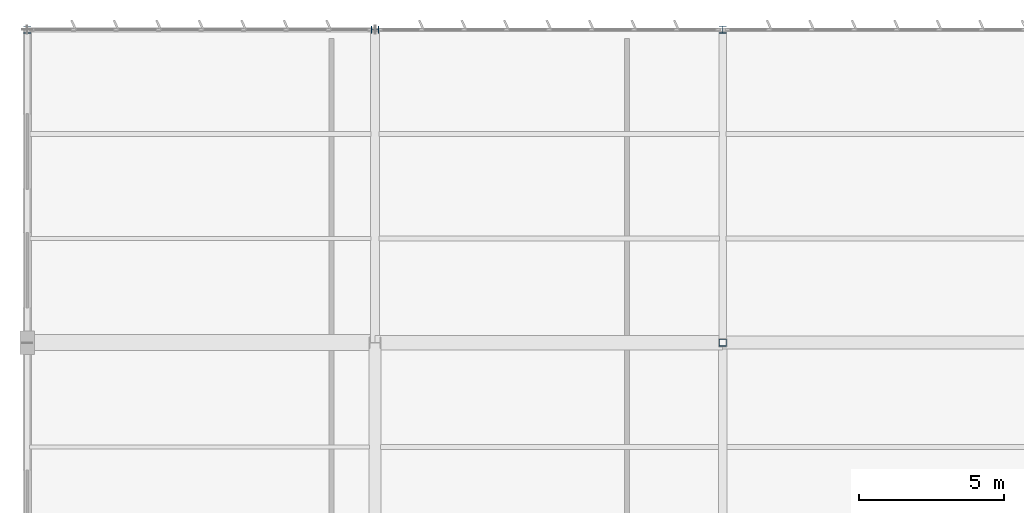
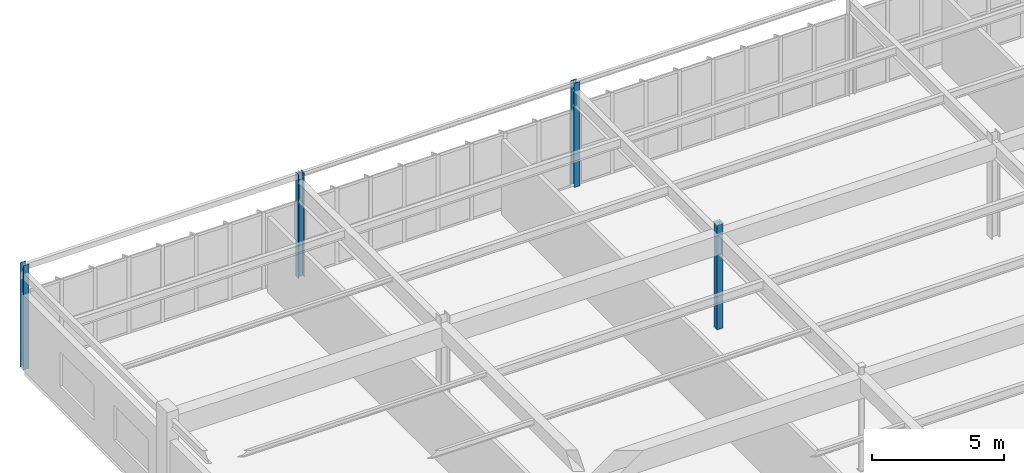
# One storey, part 24 of 226: 4 columns.
"""IFC4 building model written with IfcOpenShell, lengths in metres."""

from ifc_helpers import new_model, si_unit, direction, frame, origin, origin_2d, place, context, subcontext, project, spatial, hollow_rectangle, i_section, extrude, material, material_profile, profile_set, type_object, element, save


model = new_model("IFC4")

# Units and contexts
model_context = context("Model", 3, precision=1e-05, world=origin(), true_north=direction((0.0, 1.0)))
body_context = subcontext(model_context, "Body", "Model", "MODEL_VIEW")
ifc_project = project(units=[si_unit("LENGTHUNIT", "METRE"), si_unit("AREAUNIT", "SQUARE_METRE"), si_unit("VOLUMEUNIT", "CUBIC_METRE"), si_unit("PLANEANGLEUNIT", "RADIAN"), si_unit("MASSUNIT", "GRAM", prefix="KILO")], contexts=[model_context])

# Site, building, storey
site_placement = place(None, origin())
site = spatial("IfcSite", under=ifc_project, at=site_placement, CompositionType="ELEMENT")
building_placement = place(site_placement, origin())
building = spatial("IfcBuilding", under=site, at=building_placement, Name="Tarnwether General Hospital", CompositionType="ELEMENT")
storey_placement = place(building_placement, frame((0.0, 0.0, 4.800048828125)))
storey = spatial("IfcBuildingStorey", under=building, at=storey_placement, Name="L01", CompositionType="ELEMENT", Elevation=4.800048828125)

# Columns
ifc_material_1 = material(Name="Steel Grade C350L0 (350 MPa)", Category="steel")
ifc_material_profile_1 = material_profile(ifc_material_1, hollow_rectangle(XDim=0.25, YDim=0.25, WallThickness=0.012451171875, at=origin_2d()), Name="SHS250x250x12.5")
ifc_profile_set_1 = profile_set([ifc_material_profile_1], Name="Steel Grade C350L0 (350 MPa)")
column_type_1 = type_object("IfcColumnType", Name="COL-14", PredefinedType="COLUMN", material=ifc_profile_set_1)
column_placement = place(storey_placement, frame((24.0, 115.199951171875, 0.0), z_axis=(0.0, 0.0, 1.0), x_axis=(1.0, 0.0, 0.0)))
element("IfcColumn", 1, at=column_placement, inside=storey, type_object=column_type_1, Name="Column COLG-L01-2400_11520", PredefinedType="COLUMN", context=body_context, shape_type="SweptSolid", body=[
    extrude(hollow_rectangle(XDim=0.25, YDim=0.25, WallThickness=0.012451171875, at=origin_2d()), origin(), (0.0, 0.0, 1.0), 4.800048828125),
])
ifc_material_2 = material(Name="Steel Grade 350 (350 MPa)", Category="steel")
ifc_material_profile_2 = material_profile(ifc_material_2, i_section(OverallWidth=0.25390625, OverallDepth=0.25390625, WebThickness=0.008544921875, FlangeThickness=0.01416015625, at=origin_2d()), Name="250UC72.9")
ifc_profile_set_2 = profile_set([ifc_material_profile_2], Name="Steel Grade 350 (350 MPa)")
column_type_2 = type_object("IfcColumnType", Name="COL-24", PredefinedType="COLUMN", material=ifc_profile_set_2)
for number, where, z_axis, x_axis, name in (
    (2, (0.0, 126.0, 0.0), (0.0, 0.0, 1.0), (1.0, 0.0, 0.0), "Column COLG-L01-0_12600"),
    (3, (12.0, 126.0, 0.0), (0.0, 0.0, 1.0), (0.0, 1.0, 0.0), "Column COLG-L01-1200_12600"),
    (4, (24.0, 126.0, 0.0), (0.0, 0.0, 1.0), (1.0, 0.0, 0.0), "Column COLG-L01-2400_12600"),
):
    element("IfcColumn", number, at=place(storey_placement, frame(where, z_axis=z_axis, x_axis=x_axis)), inside=storey, type_object=column_type_2, Name=name, PredefinedType="COLUMN", context=body_context, shape_type="SweptSolid", body=[
        extrude(i_section(OverallWidth=0.25390625, OverallDepth=0.25390625, WebThickness=0.008544921875, FlangeThickness=0.01416015625, at=origin_2d()), origin(), (0.0, 0.0, 1.0), 4.800048828125),
    ])

save(model, "model.ifc")
